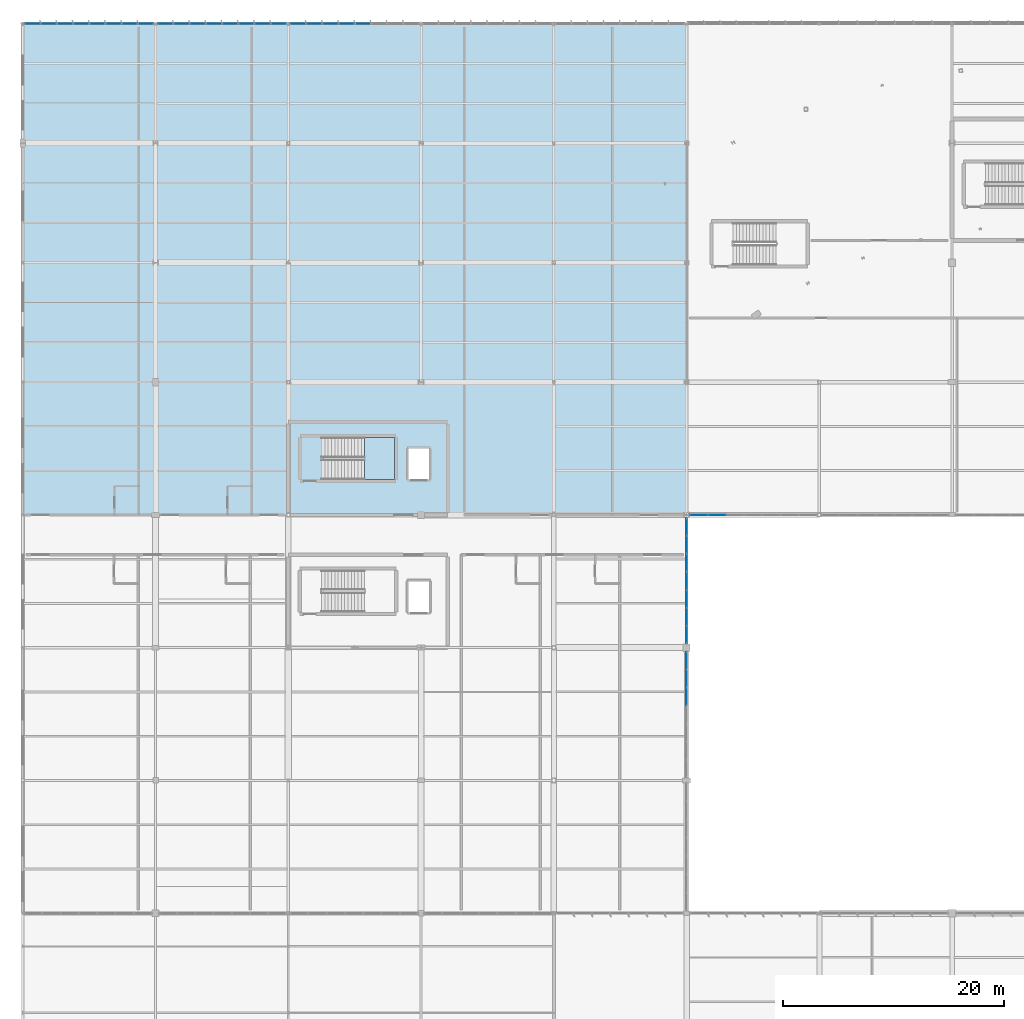
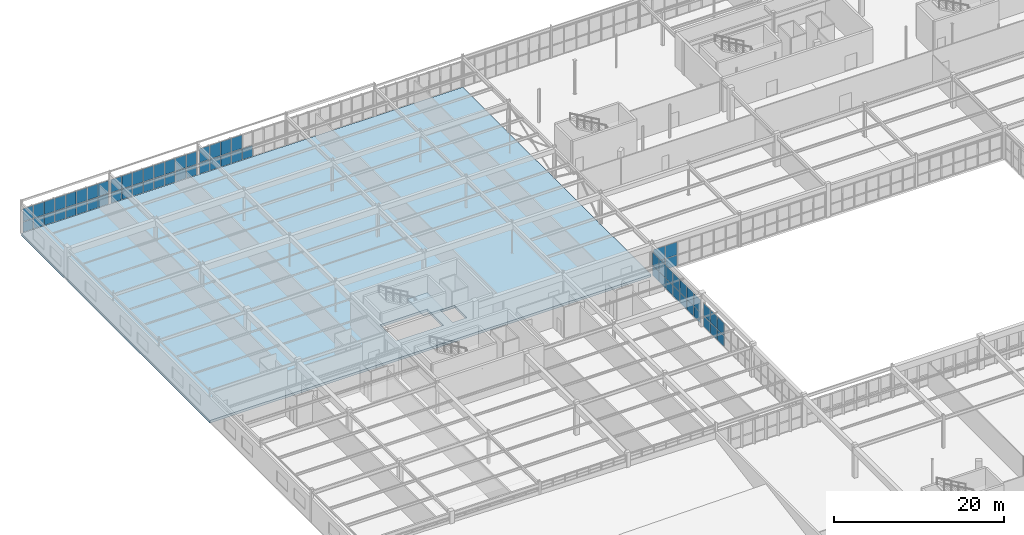
# One storey, part 139 of 226: 65 plates, 2 slabs, 7 elements without a shape of their own.
"""IFC4 building model written with IfcOpenShell, lengths in metres."""

from ifc_helpers import new_model, si_unit, direction, frame, origin, origin_2d, place, context, subcontext, project, spatial, polyline, rectangle, outline, extrude, material, layer, layer_set, type_object, element, aggregate, save


model = new_model("IFC4")

# Units and contexts
model_context = context("Model", 3, precision=1e-05, world=origin(), true_north=direction((0.0, 1.0)))
body_context = subcontext(model_context, "Body", "Model", "MODEL_VIEW")
ifc_project = project(units=[si_unit("LENGTHUNIT", "METRE"), si_unit("AREAUNIT", "SQUARE_METRE"), si_unit("VOLUMEUNIT", "CUBIC_METRE"), si_unit("PLANEANGLEUNIT", "RADIAN"), si_unit("MASSUNIT", "GRAM", prefix="KILO")], contexts=[model_context])

# Site, building, storey
site_placement = place(None, origin())
site = spatial("IfcSite", under=ifc_project, at=site_placement, CompositionType="ELEMENT")
building_placement = place(site_placement, origin())
building = spatial("IfcBuilding", under=site, at=building_placement, Name="Tarnwether General Hospital", CompositionType="ELEMENT")
storey_placement = place(building_placement, frame((0.0, 0.0, 4.800048828125)))
storey = spatial("IfcBuildingStorey", under=building, at=storey_placement, Name="L01", CompositionType="ELEMENT", Elevation=4.800048828125)

# Curtain wall, plates
ifc_material_1 = material(Name="Anodised aluminium", Category="aluminium")
ifc_layer_1 = layer(ifc_material_1, 0.159912109375)
ifc_layer_set_1 = layer_set([ifc_layer_1], Name="Anodised aluminium")
curtain_wall_type_1 = type_object("IfcCurtainWallType", Name="CW-12", PredefinedType="NOTDEFINED", material=ifc_layer_set_1)
curtain_wall_1_placement = place(storey_placement, origin())
curtain_wall_1 = element("IfcCurtainWall", 1, at=curtain_wall_1_placement, inside=storey, type_object=curtain_wall_type_1, Name="Curtain Wall CWG-L01-1_1260-0317", PredefinedType="NOTDEFINED")
ifc_material_2 = material(Name="Double glazed low-E glass", Category="glass")
ifc_layer_2 = layer(ifc_material_2, 0.028076171875)
ifc_layer_set_2 = layer_set([ifc_layer_2], Name="Double glazed low-E glass")
plate_type = type_object("IfcPlateType", Name="PT-CWP1", PredefinedType="CURTAIN_PANEL", material=ifc_layer_set_2)
plate_1_placement = place(storey_placement, frame((0.883056640625, 126.0, 0.06005859375), z_axis=(0.0, 0.0, 1.0), x_axis=(1.0, 0.0, 0.0)))
plate_1 = element("IfcPlate", 2, at=plate_1_placement, type_object=plate_type, Name="CW-12 panel 1.1", PredefinedType="CURTAIN_PANEL", context=body_context, shape_type="SweptSolid", body=[
    extrude(rectangle(XDim=1.376220703125, YDim=0.028076171875, at=origin_2d()), origin(), (0.0, 0.0, 1.0), 1.49169921875),
])
plate_2_placement = place(storey_placement, frame((0.883056640625, 126.0, 1.61181640625), z_axis=(0.0, 0.0, 1.0), x_axis=(1.0, 0.0, 0.0)))
plate_2 = element("IfcPlate", 3, at=plate_2_placement, type_object=plate_type, Name="CW-12 panel 1.2", PredefinedType="CURTAIN_PANEL", context=body_context, shape_type="SweptSolid", body=[
    extrude(rectangle(XDim=1.376220703125, YDim=0.028076171875, at=origin_2d()), origin(), (0.0, 0.0, 1.0), 1.84326171875),
])
plate_3_placement = place(storey_placement, frame((2.33447265625, 126.0, 0.06005859375), z_axis=(0.0, 0.0, 1.0), x_axis=(1.0, 0.0, 0.0)))
plate_3 = element("IfcPlate", 4, at=plate_3_placement, type_object=plate_type, Name="CW-12 panel 2.1", PredefinedType="CURTAIN_PANEL", context=body_context, shape_type="SweptSolid", body=[
    extrude(rectangle(XDim=1.40625, YDim=0.028076171875, at=origin_2d()), origin(), (0.0, 0.0, 1.0), 1.49169921875),
])
plate_4_placement = place(storey_placement, frame((2.33447265625, 126.0, 1.61181640625), z_axis=(0.0, 0.0, 1.0), x_axis=(1.0, 0.0, 0.0)))
plate_4 = element("IfcPlate", 5, at=plate_4_placement, type_object=plate_type, Name="CW-12 panel 2.2", PredefinedType="CURTAIN_PANEL", context=body_context, shape_type="SweptSolid", body=[
    extrude(rectangle(XDim=1.40625, YDim=0.028076171875, at=origin_2d()), origin(), (0.0, 0.0, 1.0), 1.84326171875),
])
plate_5_placement = place(storey_placement, frame((3.800537109375, 126.0, 0.06005859375), z_axis=(0.0, 0.0, 1.0), x_axis=(1.0, 0.0, 0.0)))
plate_5 = element("IfcPlate", 6, at=plate_5_placement, type_object=plate_type, Name="CW-12 panel 3.1", PredefinedType="CURTAIN_PANEL", context=body_context, shape_type="SweptSolid", body=[
    extrude(rectangle(XDim=1.40625, YDim=0.028076171875, at=origin_2d()), origin(), (0.0, 0.0, 1.0), 1.49169921875),
])
plate_6_placement = place(storey_placement, frame((3.800537109375, 126.0, 1.61181640625), z_axis=(0.0, 0.0, 1.0), x_axis=(1.0, 0.0, 0.0)))
plate_6 = element("IfcPlate", 7, at=plate_6_placement, type_object=plate_type, Name="CW-12 panel 3.2", PredefinedType="CURTAIN_PANEL", context=body_context, shape_type="SweptSolid", body=[
    extrude(rectangle(XDim=1.40625, YDim=0.028076171875, at=origin_2d()), origin(), (0.0, 0.0, 1.0), 1.84326171875),
])
plate_7_placement = place(storey_placement, frame((5.266845703125, 126.0, 0.06005859375), z_axis=(0.0, 0.0, 1.0), x_axis=(1.0, 0.0, 0.0)))
plate_7 = element("IfcPlate", 8, at=plate_7_placement, type_object=plate_type, Name="CW-12 panel 4.1", PredefinedType="CURTAIN_PANEL", context=body_context, shape_type="SweptSolid", body=[
    extrude(rectangle(XDim=1.40625, YDim=0.028076171875, at=origin_2d()), origin(), (0.0, 0.0, 1.0), 1.49169921875),
])
plate_8_placement = place(storey_placement, frame((5.266845703125, 126.0, 1.61181640625), z_axis=(0.0, 0.0, 1.0), x_axis=(1.0, 0.0, 0.0)))
plate_8 = element("IfcPlate", 9, at=plate_8_placement, type_object=plate_type, Name="CW-12 panel 4.2", PredefinedType="CURTAIN_PANEL", context=body_context, shape_type="SweptSolid", body=[
    extrude(rectangle(XDim=1.40625, YDim=0.028076171875, at=origin_2d()), origin(), (0.0, 0.0, 1.0), 1.84326171875),
])
plate_9_placement = place(storey_placement, frame((6.733154296875, 126.0, 0.06005859375), z_axis=(0.0, 0.0, 1.0), x_axis=(1.0, 0.0, 0.0)))
plate_9 = element("IfcPlate", 10, at=plate_9_placement, type_object=plate_type, Name="CW-12 panel 5.1", PredefinedType="CURTAIN_PANEL", context=body_context, shape_type="SweptSolid", body=[
    extrude(rectangle(XDim=1.40625, YDim=0.028076171875, at=origin_2d()), origin(), (0.0, 0.0, 1.0), 1.49169921875),
])
plate_10_placement = place(storey_placement, frame((6.733154296875, 126.0, 1.61181640625), z_axis=(0.0, 0.0, 1.0), x_axis=(1.0, 0.0, 0.0)))
plate_10 = element("IfcPlate", 11, at=plate_10_placement, type_object=plate_type, Name="CW-12 panel 5.2", PredefinedType="CURTAIN_PANEL", context=body_context, shape_type="SweptSolid", body=[
    extrude(rectangle(XDim=1.40625, YDim=0.028076171875, at=origin_2d()), origin(), (0.0, 0.0, 1.0), 1.84326171875),
])
plate_11_placement = place(storey_placement, frame((8.199462890625, 126.0, 0.06005859375), z_axis=(0.0, 0.0, 1.0), x_axis=(1.0, 0.0, 0.0)))
plate_11 = element("IfcPlate", 12, at=plate_11_placement, type_object=plate_type, Name="CW-12 panel 6.1", PredefinedType="CURTAIN_PANEL", context=body_context, shape_type="SweptSolid", body=[
    extrude(rectangle(XDim=1.40625, YDim=0.028076171875, at=origin_2d()), origin(), (0.0, 0.0, 1.0), 1.49169921875),
])
plate_12_placement = place(storey_placement, frame((8.199462890625, 126.0, 1.61181640625), z_axis=(0.0, 0.0, 1.0), x_axis=(1.0, 0.0, 0.0)))
plate_12 = element("IfcPlate", 13, at=plate_12_placement, type_object=plate_type, Name="CW-12 panel 6.2", PredefinedType="CURTAIN_PANEL", context=body_context, shape_type="SweptSolid", body=[
    extrude(rectangle(XDim=1.40625, YDim=0.028076171875, at=origin_2d()), origin(), (0.0, 0.0, 1.0), 1.84326171875),
])
plate_13_placement = place(storey_placement, frame((9.66552734375, 126.0, 0.06005859375), z_axis=(0.0, 0.0, 1.0), x_axis=(1.0, 0.0, 0.0)))
plate_13 = element("IfcPlate", 14, at=plate_13_placement, type_object=plate_type, Name="CW-12 panel 7.1", PredefinedType="CURTAIN_PANEL", context=body_context, shape_type="SweptSolid", body=[
    extrude(rectangle(XDim=1.40625, YDim=0.028076171875, at=origin_2d()), origin(), (0.0, 0.0, 1.0), 1.49169921875),
])
plate_14_placement = place(storey_placement, frame((9.66552734375, 126.0, 1.61181640625), z_axis=(0.0, 0.0, 1.0), x_axis=(1.0, 0.0, 0.0)))
plate_14 = element("IfcPlate", 15, at=plate_14_placement, type_object=plate_type, Name="CW-12 panel 7.2", PredefinedType="CURTAIN_PANEL", context=body_context, shape_type="SweptSolid", body=[
    extrude(rectangle(XDim=1.40625, YDim=0.028076171875, at=origin_2d()), origin(), (0.0, 0.0, 1.0), 1.84326171875),
])
plate_15_placement = place(storey_placement, frame((11.116943359375, 126.0, 0.06005859375), z_axis=(0.0, 0.0, 1.0), x_axis=(1.0, 0.0, 0.0)))
plate_15 = element("IfcPlate", 16, at=plate_15_placement, type_object=plate_type, Name="CW-12 panel 8.1", PredefinedType="CURTAIN_PANEL", context=body_context, shape_type="SweptSolid", body=[
    extrude(rectangle(XDim=1.376220703125, YDim=0.028076171875, at=origin_2d()), origin(), (0.0, 0.0, 1.0), 1.49169921875),
])
plate_16_placement = place(storey_placement, frame((11.116943359375, 126.0, 1.61181640625), z_axis=(0.0, 0.0, 1.0), x_axis=(1.0, 0.0, 0.0)))
plate_16 = element("IfcPlate", 17, at=plate_16_placement, type_object=plate_type, Name="CW-12 panel 8.2", PredefinedType="CURTAIN_PANEL", context=body_context, shape_type="SweptSolid", body=[
    extrude(rectangle(XDim=1.376220703125, YDim=0.028076171875, at=origin_2d()), origin(), (0.0, 0.0, 1.0), 1.84326171875),
])
aggregate(curtain_wall_1, [plate_1, plate_2, plate_3, plate_4, plate_5, plate_6, plate_7, plate_8, plate_9, plate_10, plate_11, plate_12, plate_13, plate_14, plate_15, plate_16])

curtain_wall_2_placement = place(storey_placement, origin())
curtain_wall_2 = element("IfcCurtainWall", 18, at=curtain_wall_2_placement, inside=storey, type_object=curtain_wall_type_1, Name="Curtain Wall CWG-L01-121_1260-0318", PredefinedType="NOTDEFINED")
plate_17_placement = place(storey_placement, frame((12.883056640625, 126.0, 0.06005859375), z_axis=(0.0, 0.0, 1.0), x_axis=(1.0, 0.0, 0.0)))
plate_17 = element("IfcPlate", 19, at=plate_17_placement, type_object=plate_type, Name="CW-12 panel 1.1", PredefinedType="CURTAIN_PANEL", context=body_context, shape_type="SweptSolid", body=[
    extrude(rectangle(XDim=1.376220703125, YDim=0.028076171875, at=origin_2d()), origin(), (0.0, 0.0, 1.0), 1.49169921875),
])
plate_18_placement = place(storey_placement, frame((12.883056640625, 126.0, 1.61181640625), z_axis=(0.0, 0.0, 1.0), x_axis=(1.0, 0.0, 0.0)))
plate_18 = element("IfcPlate", 20, at=plate_18_placement, type_object=plate_type, Name="CW-12 panel 1.2", PredefinedType="CURTAIN_PANEL", context=body_context, shape_type="SweptSolid", body=[
    extrude(rectangle(XDim=1.376220703125, YDim=0.028076171875, at=origin_2d()), origin(), (0.0, 0.0, 1.0), 1.84326171875),
])
plate_19_placement = place(storey_placement, frame((14.33447265625, 126.0, 0.06005859375), z_axis=(0.0, 0.0, 1.0), x_axis=(1.0, 0.0, 0.0)))
plate_19 = element("IfcPlate", 21, at=plate_19_placement, type_object=plate_type, Name="CW-12 panel 2.1", PredefinedType="CURTAIN_PANEL", context=body_context, shape_type="SweptSolid", body=[
    extrude(rectangle(XDim=1.40625, YDim=0.028076171875, at=origin_2d()), origin(), (0.0, 0.0, 1.0), 1.49169921875),
])
plate_20_placement = place(storey_placement, frame((14.33447265625, 126.0, 1.61181640625), z_axis=(0.0, 0.0, 1.0), x_axis=(1.0, 0.0, 0.0)))
plate_20 = element("IfcPlate", 22, at=plate_20_placement, type_object=plate_type, Name="CW-12 panel 2.2", PredefinedType="CURTAIN_PANEL", context=body_context, shape_type="SweptSolid", body=[
    extrude(rectangle(XDim=1.40625, YDim=0.028076171875, at=origin_2d()), origin(), (0.0, 0.0, 1.0), 1.84326171875),
])
plate_21_placement = place(storey_placement, frame((15.800537109375, 126.0, 0.06005859375), z_axis=(0.0, 0.0, 1.0), x_axis=(1.0, 0.0, 0.0)))
plate_21 = element("IfcPlate", 23, at=plate_21_placement, type_object=plate_type, Name="CW-12 panel 3.1", PredefinedType="CURTAIN_PANEL", context=body_context, shape_type="SweptSolid", body=[
    extrude(rectangle(XDim=1.40625, YDim=0.028076171875, at=origin_2d()), origin(), (0.0, 0.0, 1.0), 1.49169921875),
])
plate_22_placement = place(storey_placement, frame((15.800537109375, 126.0, 1.61181640625), z_axis=(0.0, 0.0, 1.0), x_axis=(1.0, 0.0, 0.0)))
plate_22 = element("IfcPlate", 24, at=plate_22_placement, type_object=plate_type, Name="CW-12 panel 3.2", PredefinedType="CURTAIN_PANEL", context=body_context, shape_type="SweptSolid", body=[
    extrude(rectangle(XDim=1.40625, YDim=0.028076171875, at=origin_2d()), origin(), (0.0, 0.0, 1.0), 1.84326171875),
])
plate_23_placement = place(storey_placement, frame((17.266845703125, 126.0, 0.06005859375), z_axis=(0.0, 0.0, 1.0), x_axis=(1.0, 0.0, 0.0)))
plate_23 = element("IfcPlate", 25, at=plate_23_placement, type_object=plate_type, Name="CW-12 panel 4.1", PredefinedType="CURTAIN_PANEL", context=body_context, shape_type="SweptSolid", body=[
    extrude(rectangle(XDim=1.40625, YDim=0.028076171875, at=origin_2d()), origin(), (0.0, 0.0, 1.0), 1.49169921875),
])
plate_24_placement = place(storey_placement, frame((17.266845703125, 126.0, 1.61181640625), z_axis=(0.0, 0.0, 1.0), x_axis=(1.0, 0.0, 0.0)))
plate_24 = element("IfcPlate", 26, at=plate_24_placement, type_object=plate_type, Name="CW-12 panel 4.2", PredefinedType="CURTAIN_PANEL", context=body_context, shape_type="SweptSolid", body=[
    extrude(rectangle(XDim=1.40625, YDim=0.028076171875, at=origin_2d()), origin(), (0.0, 0.0, 1.0), 1.84326171875),
])
plate_25_placement = place(storey_placement, frame((18.733154296875, 126.0, 0.06005859375), z_axis=(0.0, 0.0, 1.0), x_axis=(1.0, 0.0, 0.0)))
plate_25 = element("IfcPlate", 27, at=plate_25_placement, type_object=plate_type, Name="CW-12 panel 5.1", PredefinedType="CURTAIN_PANEL", context=body_context, shape_type="SweptSolid", body=[
    extrude(rectangle(XDim=1.40625, YDim=0.028076171875, at=origin_2d()), origin(), (0.0, 0.0, 1.0), 1.49169921875),
])
plate_26_placement = place(storey_placement, frame((18.733154296875, 126.0, 1.61181640625), z_axis=(0.0, 0.0, 1.0), x_axis=(1.0, 0.0, 0.0)))
plate_26 = element("IfcPlate", 28, at=plate_26_placement, type_object=plate_type, Name="CW-12 panel 5.2", PredefinedType="CURTAIN_PANEL", context=body_context, shape_type="SweptSolid", body=[
    extrude(rectangle(XDim=1.40625, YDim=0.028076171875, at=origin_2d()), origin(), (0.0, 0.0, 1.0), 1.84326171875),
])
plate_27_placement = place(storey_placement, frame((20.199462890625, 126.0, 0.06005859375), z_axis=(0.0, 0.0, 1.0), x_axis=(1.0, 0.0, 0.0)))
plate_27 = element("IfcPlate", 29, at=plate_27_placement, type_object=plate_type, Name="CW-12 panel 6.1", PredefinedType="CURTAIN_PANEL", context=body_context, shape_type="SweptSolid", body=[
    extrude(rectangle(XDim=1.40625, YDim=0.028076171875, at=origin_2d()), origin(), (0.0, 0.0, 1.0), 1.49169921875),
])
plate_28_placement = place(storey_placement, frame((20.199462890625, 126.0, 1.61181640625), z_axis=(0.0, 0.0, 1.0), x_axis=(1.0, 0.0, 0.0)))
plate_28 = element("IfcPlate", 30, at=plate_28_placement, type_object=plate_type, Name="CW-12 panel 6.2", PredefinedType="CURTAIN_PANEL", context=body_context, shape_type="SweptSolid", body=[
    extrude(rectangle(XDim=1.40625, YDim=0.028076171875, at=origin_2d()), origin(), (0.0, 0.0, 1.0), 1.84326171875),
])
plate_29_placement = place(storey_placement, frame((21.66552734375, 126.0, 0.06005859375), z_axis=(0.0, 0.0, 1.0), x_axis=(1.0, 0.0, 0.0)))
plate_29 = element("IfcPlate", 31, at=plate_29_placement, type_object=plate_type, Name="CW-12 panel 7.1", PredefinedType="CURTAIN_PANEL", context=body_context, shape_type="SweptSolid", body=[
    extrude(rectangle(XDim=1.40625, YDim=0.028076171875, at=origin_2d()), origin(), (0.0, 0.0, 1.0), 1.49169921875),
])
plate_30_placement = place(storey_placement, frame((21.66552734375, 126.0, 1.61181640625), z_axis=(0.0, 0.0, 1.0), x_axis=(1.0, 0.0, 0.0)))
plate_30 = element("IfcPlate", 32, at=plate_30_placement, type_object=plate_type, Name="CW-12 panel 7.2", PredefinedType="CURTAIN_PANEL", context=body_context, shape_type="SweptSolid", body=[
    extrude(rectangle(XDim=1.40625, YDim=0.028076171875, at=origin_2d()), origin(), (0.0, 0.0, 1.0), 1.84326171875),
])
plate_31_placement = place(storey_placement, frame((23.116943359375, 126.0, 0.06005859375), z_axis=(0.0, 0.0, 1.0), x_axis=(1.0, 0.0, 0.0)))
plate_31 = element("IfcPlate", 33, at=plate_31_placement, type_object=plate_type, Name="CW-12 panel 8.1", PredefinedType="CURTAIN_PANEL", context=body_context, shape_type="SweptSolid", body=[
    extrude(rectangle(XDim=1.376220703125, YDim=0.028076171875, at=origin_2d()), origin(), (0.0, 0.0, 1.0), 1.49169921875),
])
plate_32_placement = place(storey_placement, frame((23.116943359375, 126.0, 1.61181640625), z_axis=(0.0, 0.0, 1.0), x_axis=(1.0, 0.0, 0.0)))
plate_32 = element("IfcPlate", 34, at=plate_32_placement, type_object=plate_type, Name="CW-12 panel 8.2", PredefinedType="CURTAIN_PANEL", context=body_context, shape_type="SweptSolid", body=[
    extrude(rectangle(XDim=1.376220703125, YDim=0.028076171875, at=origin_2d()), origin(), (0.0, 0.0, 1.0), 1.84326171875),
])
aggregate(curtain_wall_2, [plate_17, plate_18, plate_19, plate_20, plate_21, plate_22, plate_23, plate_24, plate_25, plate_26, plate_27, plate_28, plate_29, plate_30, plate_31, plate_32])

curtain_wall_3_placement = place(storey_placement, origin())
curtain_wall_3 = element("IfcCurtainWall", 35, at=curtain_wall_3_placement, inside=storey, type_object=curtain_wall_type_1, Name="Curtain Wall CWG-L01-241_1260-0319", PredefinedType="NOTDEFINED")
plate_33_placement = place(storey_placement, frame((24.883056640625, 126.0, 0.06005859375), z_axis=(0.0, 0.0, 1.0), x_axis=(1.0, 0.0, 0.0)))
plate_33 = element("IfcPlate", 36, at=plate_33_placement, type_object=plate_type, Name="CW-12 panel 1.1", PredefinedType="CURTAIN_PANEL", context=body_context, shape_type="SweptSolid", body=[
    extrude(rectangle(XDim=1.376220703125, YDim=0.028076171875, at=origin_2d()), origin(), (0.0, 0.0, 1.0), 1.585205078125),
])
plate_34_placement = place(storey_placement, frame((24.883056640625, 126.0, 1.705078125), z_axis=(0.0, 0.0, 1.0), x_axis=(1.0, 0.0, 0.0)))
plate_34 = element("IfcPlate", 37, at=plate_34_placement, type_object=plate_type, Name="CW-12 panel 1.2", PredefinedType="CURTAIN_PANEL", context=body_context, shape_type="SweptSolid", body=[
    extrude(rectangle(XDim=1.376220703125, YDim=0.028076171875, at=origin_2d()), origin(), (0.0, 0.0, 1.0), 1.957763671875),
])
plate_35_placement = place(storey_placement, frame((26.33447265625, 126.0, 0.06005859375), z_axis=(0.0, 0.0, 1.0), x_axis=(1.0, 0.0, 0.0)))
plate_35 = element("IfcPlate", 38, at=plate_35_placement, type_object=plate_type, Name="CW-12 panel 2.1", PredefinedType="CURTAIN_PANEL", context=body_context, shape_type="SweptSolid", body=[
    extrude(rectangle(XDim=1.40625, YDim=0.028076171875, at=origin_2d()), origin(), (0.0, 0.0, 1.0), 1.585205078125),
])
plate_36_placement = place(storey_placement, frame((26.33447265625, 126.0, 1.705078125), z_axis=(0.0, 0.0, 1.0), x_axis=(1.0, 0.0, 0.0)))
plate_36 = element("IfcPlate", 39, at=plate_36_placement, type_object=plate_type, Name="CW-12 panel 2.2", PredefinedType="CURTAIN_PANEL", context=body_context, shape_type="SweptSolid", body=[
    extrude(rectangle(XDim=1.40625, YDim=0.028076171875, at=origin_2d()), origin(), (0.0, 0.0, 1.0), 1.957763671875),
])
plate_37_placement = place(storey_placement, frame((27.800537109375, 126.0, 0.06005859375), z_axis=(0.0, 0.0, 1.0), x_axis=(1.0, 0.0, 0.0)))
plate_37 = element("IfcPlate", 40, at=plate_37_placement, type_object=plate_type, Name="CW-12 panel 3.1", PredefinedType="CURTAIN_PANEL", context=body_context, shape_type="SweptSolid", body=[
    extrude(rectangle(XDim=1.40625, YDim=0.028076171875, at=origin_2d()), origin(), (0.0, 0.0, 1.0), 1.585205078125),
])
plate_38_placement = place(storey_placement, frame((27.800537109375, 126.0, 1.705078125), z_axis=(0.0, 0.0, 1.0), x_axis=(1.0, 0.0, 0.0)))
plate_38 = element("IfcPlate", 41, at=plate_38_placement, type_object=plate_type, Name="CW-12 panel 3.2", PredefinedType="CURTAIN_PANEL", context=body_context, shape_type="SweptSolid", body=[
    extrude(rectangle(XDim=1.40625, YDim=0.028076171875, at=origin_2d()), origin(), (0.0, 0.0, 1.0), 1.957763671875),
])
plate_39_placement = place(storey_placement, frame((29.266845703125, 126.0, 0.06005859375), z_axis=(0.0, 0.0, 1.0), x_axis=(1.0, 0.0, 0.0)))
plate_39 = element("IfcPlate", 42, at=plate_39_placement, type_object=plate_type, Name="CW-12 panel 4.1", PredefinedType="CURTAIN_PANEL", context=body_context, shape_type="SweptSolid", body=[
    extrude(rectangle(XDim=1.40625, YDim=0.028076171875, at=origin_2d()), origin(), (0.0, 0.0, 1.0), 1.585205078125),
])
plate_40_placement = place(storey_placement, frame((29.266845703125, 126.0, 1.705078125), z_axis=(0.0, 0.0, 1.0), x_axis=(1.0, 0.0, 0.0)))
plate_40 = element("IfcPlate", 43, at=plate_40_placement, type_object=plate_type, Name="CW-12 panel 4.2", PredefinedType="CURTAIN_PANEL", context=body_context, shape_type="SweptSolid", body=[
    extrude(rectangle(XDim=1.40625, YDim=0.028076171875, at=origin_2d()), origin(), (0.0, 0.0, 1.0), 1.957763671875),
])
plate_41_placement = place(storey_placement, frame((30.733154296875, 126.0, 0.06005859375), z_axis=(0.0, 0.0, 1.0), x_axis=(1.0, 0.0, 0.0)))
plate_41 = element("IfcPlate", 44, at=plate_41_placement, type_object=plate_type, Name="CW-12 panel 5.1", PredefinedType="CURTAIN_PANEL", context=body_context, shape_type="SweptSolid", body=[
    extrude(rectangle(XDim=1.40625, YDim=0.028076171875, at=origin_2d()), origin(), (0.0, 0.0, 1.0), 1.585205078125),
])
aggregate(curtain_wall_3, [plate_33, plate_34, plate_35, plate_36, plate_37, plate_38, plate_39, plate_40, plate_41])

ifc_material_3 = material(Name="Anodised aluminium", Category="aluminium")
ifc_layer_3 = layer(ifc_material_3, 0.159912109375)
ifc_layer_set_3 = layer_set([ifc_layer_3], Name="Anodised aluminium")
curtain_wall_type_2 = type_object("IfcCurtainWallType", Name="CW-23", PredefinedType="NOTDEFINED", material=ifc_layer_set_3)
curtain_wall_4_placement = place(storey_placement, origin())
curtain_wall_4 = element("IfcCurtainWall", 45, at=curtain_wall_4_placement, inside=storey, type_object=curtain_wall_type_2, Name="Curtain Wall CWG-L01-603_816-0339", PredefinedType="NOTDEFINED")
plate_42_placement = place(storey_placement, frame((61.098388671875, 81.60009765625, 0.06005859375), z_axis=(0.0, 0.0, 1.0), x_axis=(1.0, 0.0, 0.0)))
plate_42 = element("IfcPlate", 46, at=plate_42_placement, type_object=plate_type, Name="CW-23 panel 1.1", PredefinedType="CURTAIN_PANEL", context=body_context, shape_type="SweptSolid", body=[
    extrude(rectangle(XDim=1.560791015625, YDim=0.028076171875, at=origin_2d()), origin(), (0.0, 0.0, 1.0), 1.49169921875),
])
plate_43_placement = place(storey_placement, frame((61.098388671875, 81.60009765625, 1.61181640625), z_axis=(0.0, 0.0, 1.0), x_axis=(1.0, 0.0, 0.0)))
plate_43 = element("IfcPlate", 47, at=plate_43_placement, type_object=plate_type, Name="CW-23 panel 1.2", PredefinedType="CURTAIN_PANEL", context=body_context, shape_type="SweptSolid", body=[
    extrude(rectangle(XDim=1.560791015625, YDim=0.028076171875, at=origin_2d()), origin(), (0.0, 0.0, 1.0), 1.84326171875),
])
plate_44_placement = place(storey_placement, frame((62.734375, 81.60009765625, 0.06005859375), z_axis=(0.0, 0.0, 1.0), x_axis=(1.0, 0.0, 0.0)))
plate_44 = element("IfcPlate", 48, at=plate_44_placement, type_object=plate_type, Name="CW-23 panel 2.1", PredefinedType="CURTAIN_PANEL", context=body_context, shape_type="SweptSolid", body=[
    extrude(rectangle(XDim=1.5908203125, YDim=0.028076171875, at=origin_2d()), origin(), (0.0, 0.0, 1.0), 1.49169921875),
])
plate_45_placement = place(storey_placement, frame((62.734375, 81.60009765625, 1.61181640625), z_axis=(0.0, 0.0, 1.0), x_axis=(1.0, 0.0, 0.0)))
plate_45 = element("IfcPlate", 49, at=plate_45_placement, type_object=plate_type, Name="CW-23 panel 2.2", PredefinedType="CURTAIN_PANEL", context=body_context, shape_type="SweptSolid", body=[
    extrude(rectangle(XDim=1.5908203125, YDim=0.028076171875, at=origin_2d()), origin(), (0.0, 0.0, 1.0), 1.84326171875),
])
aggregate(curtain_wall_4, [plate_42, plate_43, plate_44, plate_45])

ifc_material_4 = material(Name="Anodised aluminium", Category="aluminium")
ifc_layer_4 = layer(ifc_material_4, 0.159912109375)
ifc_layer_set_4 = layer_set([ifc_layer_4], Name="Anodised aluminium")
curtain_wall_type_3 = type_object("IfcCurtainWallType", Name="CW-15", PredefinedType="NOTDEFINED", material=ifc_layer_set_4)
curtain_wall_5_placement = place(storey_placement, origin())
curtain_wall_5 = element("IfcCurtainWall", 50, at=curtain_wall_5_placement, inside=storey, type_object=curtain_wall_type_3, Name="Curtain Wall CWG-L01-600_813-0352", PredefinedType="NOTDEFINED")
plate_46_placement = place(storey_placement, frame((60.0, 80.511962890625, 0.06005859375), z_axis=(0.0, 0.0, 1.0), x_axis=(0.0, -1.0, 0.0)))
plate_46 = element("IfcPlate", 51, at=plate_46_placement, type_object=plate_type, Name="CW-15 panel 1.1", PredefinedType="CURTAIN_PANEL", context=body_context, shape_type="SweptSolid", body=[
    extrude(rectangle(XDim=1.539794921875, YDim=0.028076171875, at=origin_2d()), origin(), (0.0, 0.0, 1.0), 1.46923828125),
])
plate_47_placement = place(storey_placement, frame((60.0, 80.511962890625, 1.58935546875), z_axis=(0.0, 0.0, 1.0), x_axis=(0.0, -1.0, 0.0)))
plate_47 = element("IfcPlate", 52, at=plate_47_placement, type_object=plate_type, Name="CW-15 panel 1.2", PredefinedType="CURTAIN_PANEL", context=body_context, shape_type="SweptSolid", body=[
    extrude(rectangle(XDim=1.539794921875, YDim=0.028076171875, at=origin_2d()), origin(), (0.0, 0.0, 1.0), 1.815673828125),
])
plate_48_placement = place(storey_placement, frame((60.0, 78.897216796875, 0.06005859375), z_axis=(0.0, 0.0, 1.0), x_axis=(0.0, -1.0, 0.0)))
plate_48 = element("IfcPlate", 53, at=plate_48_placement, type_object=plate_type, Name="CW-15 panel 2.1", PredefinedType="CURTAIN_PANEL", context=body_context, shape_type="SweptSolid", body=[
    extrude(rectangle(XDim=1.56982421875, YDim=0.028076171875, at=origin_2d()), origin(), (0.0, 0.0, 1.0), 1.46923828125),
])
plate_49_placement = place(storey_placement, frame((60.0, 78.897216796875, 1.58935546875), z_axis=(0.0, 0.0, 1.0), x_axis=(0.0, -1.0, 0.0)))
plate_49 = element("IfcPlate", 54, at=plate_49_placement, type_object=plate_type, Name="CW-15 panel 2.2", PredefinedType="CURTAIN_PANEL", context=body_context, shape_type="SweptSolid", body=[
    extrude(rectangle(XDim=1.56982421875, YDim=0.028076171875, at=origin_2d()), origin(), (0.0, 0.0, 1.0), 1.815673828125),
])
plate_50_placement = place(storey_placement, frame((60.0, 77.267333984375, 0.06005859375), z_axis=(0.0, 0.0, 1.0), x_axis=(0.0, -1.0, 0.0)))
plate_50 = element("IfcPlate", 55, at=plate_50_placement, type_object=plate_type, Name="CW-15 panel 3.1", PredefinedType="CURTAIN_PANEL", context=body_context, shape_type="SweptSolid", body=[
    extrude(rectangle(XDim=1.56982421875, YDim=0.028076171875, at=origin_2d()), origin(), (0.0, 0.0, 1.0), 1.46923828125),
])
plate_51_placement = place(storey_placement, frame((60.0, 77.267333984375, 1.58935546875), z_axis=(0.0, 0.0, 1.0), x_axis=(0.0, -1.0, 0.0)))
plate_51 = element("IfcPlate", 56, at=plate_51_placement, type_object=plate_type, Name="CW-15 panel 3.2", PredefinedType="CURTAIN_PANEL", context=body_context, shape_type="SweptSolid", body=[
    extrude(rectangle(XDim=1.56982421875, YDim=0.028076171875, at=origin_2d()), origin(), (0.0, 0.0, 1.0), 1.815673828125),
])
plate_52_placement = place(storey_placement, frame((60.0, 75.637451171875, 0.06005859375), z_axis=(0.0, 0.0, 1.0), x_axis=(0.0, -1.0, 0.0)))
plate_52 = element("IfcPlate", 57, at=plate_52_placement, type_object=plate_type, Name="CW-15 panel 4.1", PredefinedType="CURTAIN_PANEL", context=body_context, shape_type="SweptSolid", body=[
    extrude(rectangle(XDim=1.56982421875, YDim=0.028076171875, at=origin_2d()), origin(), (0.0, 0.0, 1.0), 1.46923828125),
])
plate_53_placement = place(storey_placement, frame((60.0, 75.637451171875, 1.58935546875), z_axis=(0.0, 0.0, 1.0), x_axis=(0.0, -1.0, 0.0)))
plate_53 = element("IfcPlate", 58, at=plate_53_placement, type_object=plate_type, Name="CW-15 panel 4.2", PredefinedType="CURTAIN_PANEL", context=body_context, shape_type="SweptSolid", body=[
    extrude(rectangle(XDim=1.56982421875, YDim=0.028076171875, at=origin_2d()), origin(), (0.0, 0.0, 1.0), 1.815673828125),
])
plate_54_placement = place(storey_placement, frame((60.0, 74.007568359375, 0.06005859375), z_axis=(0.0, 0.0, 1.0), x_axis=(0.0, -1.0, 0.0)))
plate_54 = element("IfcPlate", 59, at=plate_54_placement, type_object=plate_type, Name="CW-15 panel 5.1", PredefinedType="CURTAIN_PANEL", context=body_context, shape_type="SweptSolid", body=[
    extrude(rectangle(XDim=1.56982421875, YDim=0.028076171875, at=origin_2d()), origin(), (0.0, 0.0, 1.0), 1.46923828125),
])
plate_55_placement = place(storey_placement, frame((60.0, 74.007568359375, 1.58935546875), z_axis=(0.0, 0.0, 1.0), x_axis=(0.0, -1.0, 0.0)))
plate_55 = element("IfcPlate", 60, at=plate_55_placement, type_object=plate_type, Name="CW-15 panel 5.2", PredefinedType="CURTAIN_PANEL", context=body_context, shape_type="SweptSolid", body=[
    extrude(rectangle(XDim=1.56982421875, YDim=0.028076171875, at=origin_2d()), origin(), (0.0, 0.0, 1.0), 1.815673828125),
])
plate_56_placement = place(storey_placement, frame((60.0, 72.377685546875, 0.06005859375), z_axis=(0.0, 0.0, 1.0), x_axis=(0.0, -1.0, 0.0)))
plate_56 = element("IfcPlate", 61, at=plate_56_placement, type_object=plate_type, Name="CW-15 panel 6.1", PredefinedType="CURTAIN_PANEL", context=body_context, shape_type="SweptSolid", body=[
    extrude(rectangle(XDim=1.56982421875, YDim=0.028076171875, at=origin_2d()), origin(), (0.0, 0.0, 1.0), 1.46923828125),
])
plate_57_placement = place(storey_placement, frame((60.0, 72.377685546875, 1.58935546875), z_axis=(0.0, 0.0, 1.0), x_axis=(0.0, -1.0, 0.0)))
plate_57 = element("IfcPlate", 62, at=plate_57_placement, type_object=plate_type, Name="CW-15 panel 6.2", PredefinedType="CURTAIN_PANEL", context=body_context, shape_type="SweptSolid", body=[
    extrude(rectangle(XDim=1.56982421875, YDim=0.028076171875, at=origin_2d()), origin(), (0.0, 0.0, 1.0), 1.815673828125),
])
plate_58_placement = place(storey_placement, frame((60.0, 70.762939453125, 0.06005859375), z_axis=(0.0, 0.0, 1.0), x_axis=(0.0, -1.0, 0.0)))
plate_58 = element("IfcPlate", 63, at=plate_58_placement, type_object=plate_type, Name="CW-15 panel 7.1", PredefinedType="CURTAIN_PANEL", context=body_context, shape_type="SweptSolid", body=[
    extrude(rectangle(XDim=1.539794921875, YDim=0.028076171875, at=origin_2d()), origin(), (0.0, 0.0, 1.0), 1.46923828125),
])
plate_59_placement = place(storey_placement, frame((60.0, 70.762939453125, 1.58935546875), z_axis=(0.0, 0.0, 1.0), x_axis=(0.0, -1.0, 0.0)))
plate_59 = element("IfcPlate", 64, at=plate_59_placement, type_object=plate_type, Name="CW-15 panel 7.2", PredefinedType="CURTAIN_PANEL", context=body_context, shape_type="SweptSolid", body=[
    extrude(rectangle(XDim=1.539794921875, YDim=0.028076171875, at=origin_2d()), origin(), (0.0, 0.0, 1.0), 1.815673828125),
])
aggregate(curtain_wall_5, [plate_46, plate_47, plate_48, plate_49, plate_50, plate_51, plate_52, plate_53, plate_54, plate_55, plate_56, plate_57, plate_58, plate_59])

curtain_wall_6_placement = place(storey_placement, origin())
curtain_wall_6 = element("IfcCurtainWall", 65, at=curtain_wall_6_placement, inside=storey, type_object=curtain_wall_type_3, Name="Curtain Wall CWG-L01-600_693-0353", PredefinedType="NOTDEFINED")
plate_60_placement = place(storey_placement, frame((60.0, 68.435302734375, 0.06005859375), z_axis=(0.0, 0.0, 1.0), x_axis=(0.0, -1.0, 0.0)))
plate_60 = element("IfcPlate", 66, at=plate_60_placement, type_object=plate_type, Name="CW-15 panel 1.1", PredefinedType="CURTAIN_PANEL", context=body_context, shape_type="SweptSolid", body=[
    extrude(rectangle(XDim=1.54345703125, YDim=0.028076171875, at=origin_2d()), origin(), (0.0, 0.0, 1.0), 1.46923828125),
])
plate_61_placement = place(storey_placement, frame((60.0, 68.435302734375, 1.58935546875), z_axis=(0.0, 0.0, 1.0), x_axis=(0.0, -1.0, 0.0)))
plate_61 = element("IfcPlate", 67, at=plate_61_placement, type_object=plate_type, Name="CW-15 panel 1.2", PredefinedType="CURTAIN_PANEL", context=body_context, shape_type="SweptSolid", body=[
    extrude(rectangle(XDim=1.54345703125, YDim=0.028076171875, at=origin_2d()), origin(), (0.0, 0.0, 1.0), 1.815673828125),
])
plate_62_placement = place(storey_placement, frame((60.0, 66.81689453125, 0.06005859375), z_axis=(0.0, 0.0, 1.0), x_axis=(0.0, -1.0, 0.0)))
plate_62 = element("IfcPlate", 68, at=plate_62_placement, type_object=plate_type, Name="CW-15 panel 2.1", PredefinedType="CURTAIN_PANEL", context=body_context, shape_type="SweptSolid", body=[
    extrude(rectangle(XDim=1.573486328125, YDim=0.028076171875, at=origin_2d()), origin(), (0.0, 0.0, 1.0), 1.46923828125),
])
plate_63_placement = place(storey_placement, frame((60.0, 66.81689453125, 1.58935546875), z_axis=(0.0, 0.0, 1.0), x_axis=(0.0, -1.0, 0.0)))
plate_63 = element("IfcPlate", 69, at=plate_63_placement, type_object=plate_type, Name="CW-15 panel 2.2", PredefinedType="CURTAIN_PANEL", context=body_context, shape_type="SweptSolid", body=[
    extrude(rectangle(XDim=1.573486328125, YDim=0.028076171875, at=origin_2d()), origin(), (0.0, 0.0, 1.0), 1.815673828125),
])
plate_64_placement = place(storey_placement, frame((60.0, 65.183349609375, 0.06005859375), z_axis=(0.0, 0.0, 1.0), x_axis=(0.0, -1.0, 0.0)))
plate_64 = element("IfcPlate", 70, at=plate_64_placement, type_object=plate_type, Name="CW-15 panel 3.1", PredefinedType="CURTAIN_PANEL", context=body_context, shape_type="SweptSolid", body=[
    extrude(rectangle(XDim=1.573486328125, YDim=0.028076171875, at=origin_2d()), origin(), (0.0, 0.0, 1.0), 1.46923828125),
])
plate_65_placement = place(storey_placement, frame((60.0, 65.183349609375, 1.58935546875), z_axis=(0.0, 0.0, 1.0), x_axis=(0.0, -1.0, 0.0)))
plate_65 = element("IfcPlate", 71, at=plate_65_placement, type_object=plate_type, Name="CW-15 panel 3.2", PredefinedType="CURTAIN_PANEL", context=body_context, shape_type="SweptSolid", body=[
    extrude(rectangle(XDim=1.573486328125, YDim=0.028076171875, at=origin_2d()), origin(), (0.0, 0.0, 1.0), 1.815673828125),
])
aggregate(curtain_wall_6, [plate_60, plate_61, plate_62, plate_63, plate_64, plate_65])

# Slab
ifc_material_5 = material(Name="Concrete 40 MPa", Category="concrete")
ifc_layer_5 = layer(ifc_material_5, 0.35498046875)
ifc_layer_set_5 = layer_set([ifc_layer_5], Name="Concrete 40 MPa")
slab_type_1 = type_object("IfcSlabType", Name="SL-FL220", PredefinedType="FLOOR", material=ifc_layer_set_5)
slab_1_placement = place(storey_placement, frame((0.0, 0.0, -0.35498046875)))
element("IfcSlab", 72, at=slab_1_placement, inside=storey, type_object=slab_type_1, Name="L01 ICU Pod B Floor SL-L01-V4W2", PredefinedType="FLOOR", context=body_context, shape_type="SweptSolid", body=[
    extrude(outline(polyline([(0.0, 81.60009765625), (0.0, 126.0), (60.0, 126.0), (60.0, 81.60009765625), (0.0, 81.60009765625)]), holes=[polyline([(36.780029296875, 87.6298828125), (34.820068359375, 87.6298828125), (34.820068359375, 84.77001953125), (36.780029296875, 84.77001953125), (36.780029296875, 87.6298828125)]), polyline([(33.60009765625, 88.60009765625), (27.179931640625, 88.60009765625), (27.179931640625, 84.800048828125), (33.60009765625, 84.800048828125), (33.60009765625, 88.60009765625)])]), origin(), (0.0, 0.0, 1.0), 0.35498046875),
])

# Stair, slab
ifc_material_6 = material(Name="Concrete 40 MPa", Category="concrete")
stair_type = type_object("IfcStairType", Name="ST-DL48B", PredefinedType="HALF_TURN_STAIR", material=ifc_material_6)
stair_placement = place(storey_placement, origin())
stair = element("IfcStair", 73, at=stair_placement, inside=storey, type_object=stair_type, Name="L01 Exit Stair ST-04", PredefinedType="HALF_TURN_STAIR")
ifc_material_7 = material(Name="Concrete 40 MPa", Category="concrete")
ifc_layer_6 = layer(ifc_material_7, 0.199951171875)
ifc_layer_set_6 = layer_set([ifc_layer_6], Name="Concrete 40 MPa")
slab_type_2 = type_object("IfcSlabType", Name="SL-LD200", PredefinedType="LANDING", material=ifc_layer_set_6)
slab_2_placement = place(storey_placement, frame((0.0, 0.0, 2.199951171875)))
slab_2 = element("IfcSlab", 74, at=slab_2_placement, type_object=slab_type_2, Name="ST-04 landing 1", PredefinedType="LANDING", context=body_context, shape_type="SweptSolid", body=[
    extrude(outline(polyline([(30.89990234375, 84.800048828125), (33.60009765625, 84.800048828125), (33.60009765625, 88.60009765625), (30.89990234375, 88.60009765625), (30.89990234375, 84.800048828125)])), origin(), (0.0, 0.0, 1.0), 0.199951171875),
])
aggregate(stair, [slab_2])

save(model, "model.ifc")
